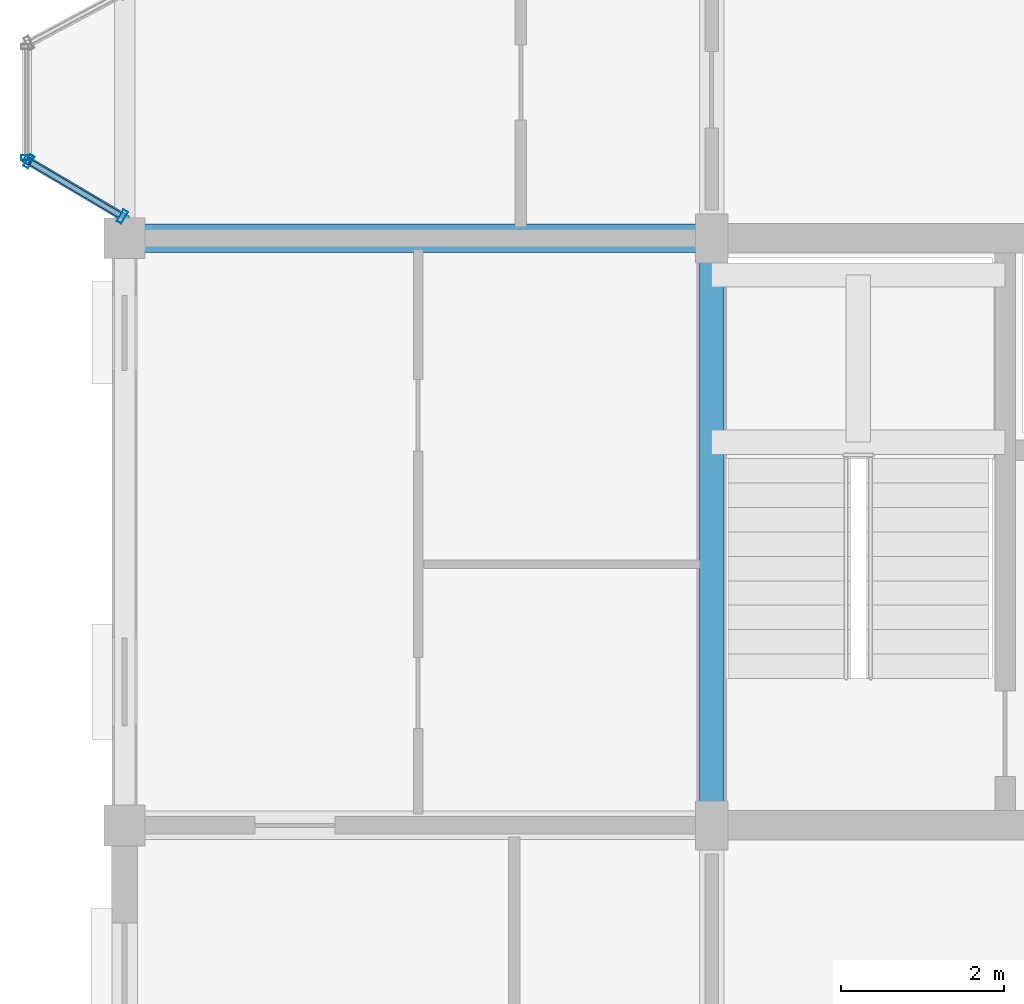
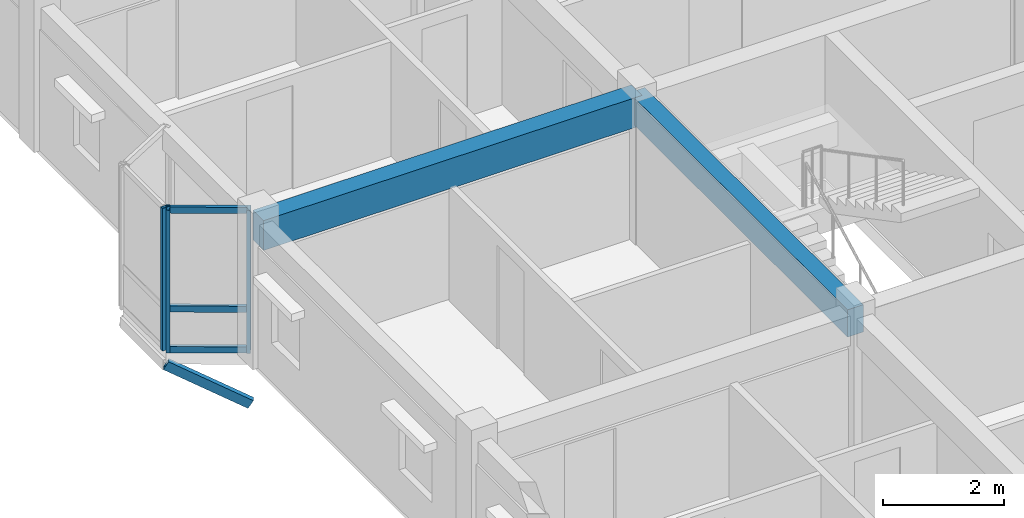
# One storey, part 5 of 64: 7 members, 2 beams, 2 elements without a shape of their own.
"""IFC4 building model written with IfcOpenShell, lengths in metres."""

from ifc_helpers import new_model, si_unit, direction, frame, origin, origin_2d, place, context, subcontext, project, spatial, rectangle, hollow_rectangle, extrude, material, layer, layer_set, material_profile, profile_set, type_object, element, aggregate, save


model = new_model("IFC4")

# Units and contexts
model_context = context("Model", 3, precision=1e-05, world=origin(), true_north=direction((0.0, 1.0)))
body_context = subcontext(model_context, "Body", "Model", "MODEL_VIEW")
ifc_project = project(units=[si_unit("LENGTHUNIT", "METRE"), si_unit("AREAUNIT", "SQUARE_METRE"), si_unit("VOLUMEUNIT", "CUBIC_METRE"), si_unit("PLANEANGLEUNIT", "RADIAN"), si_unit("MASSUNIT", "GRAM", prefix="KILO"), si_unit("THERMODYNAMICTEMPERATUREUNIT", "KELVIN"), si_unit("POWERUNIT", "WATT")], contexts=[model_context])

# Site, building, storey
site_placement = place(None, origin())
site = spatial("IfcSite", under=ifc_project, at=site_placement, CompositionType="ELEMENT")
building_placement = place(site_placement, origin())
building = spatial("IfcBuilding", under=site, at=building_placement, Name="Tavuni Mirador Residences", CompositionType="ELEMENT")
storey_placement = place(building_placement, frame((0.0, 0.0, 26.550048828125)))
storey = spatial("IfcBuildingStorey", under=building, at=storey_placement, Name="L08", CompositionType="ELEMENT", Elevation=26.550048828125)

# Beams
ifc_material_1 = material(Name="Precast concrete C40/50", Category="concrete")
ifc_material_profile_1 = material_profile(ifc_material_1, rectangle(XDim=0.300048828125, YDim=0.550048828125, at=origin_2d()), Name="PC 300x550", Category="concrete")
ifc_profile_set_1 = profile_set([ifc_material_profile_1], Name="Precast concrete C40/50")
beam_type_1 = type_object("IfcBeamType", Name="BT-B550", PredefinedType="BEAM", material=ifc_profile_set_1)
beam_1_placement = place(storey_placement, frame((10.800048828125, 14.39990234375, 2.594970703125), z_axis=(0.0, 1.0, 0.0), x_axis=(-1.0, 0.0, 0.0)))
element("IfcBeam", 1, at=beam_1_placement, inside=storey, type_object=beam_type_1, Name="BMY-BLK-A-L08-01-01", PredefinedType="BEAM", context=body_context, shape_type="SweptSolid", body=[
    extrude(rectangle(XDim=0.300048828125, YDim=0.550048828125, at=origin_2d()), origin(), (0.0, 0.0, 1.0), 7.2001953125),
])
ifc_material_profile_2 = material_profile(ifc_material_1, rectangle(XDim=0.35009765625, YDim=0.60009765625, at=origin_2d()), Name="PC 350x600", Category="concrete")
ifc_profile_set_2 = profile_set([ifc_material_profile_2], Name="Precast concrete C40/50")
beam_type_2 = type_object("IfcBeamType", Name="BT-B600", PredefinedType="BEAM", material=ifc_profile_set_2)
beam_2_placement = place(storey_placement, frame((3.60009765625, 21.60009765625, 2.570068359375), z_axis=(1.0, 0.0, 0.0), x_axis=(0.0, 1.0, 0.0)))
element("IfcBeam", 2, at=beam_2_placement, inside=storey, type_object=beam_type_2, Name="BMX-BLK-A-L08-00-02", PredefinedType="BEAM", context=body_context, shape_type="SweptSolid", body=[
    extrude(rectangle(XDim=0.35009765625, YDim=0.60009765625, at=origin_2d()), origin(), (0.0, 0.0, 1.0), 7.199951171875),
])

# Curtain wall, member
ifc_material_2 = material(Name="Anodised aluminium", Category="aluminium")
ifc_layer_1 = layer(ifc_material_2, 0.1650390625, Name="Anodised aluminium", Category="aluminium")
ifc_layer_set_1 = layer_set([ifc_layer_1], Name="Anodised aluminium")
curtain_wall_type_1 = type_object("IfcCurtainWallType", Name="CWT-MIR-A", PredefinedType="NOTDEFINED", material=ifc_layer_set_1)
curtain_wall_1_placement = place(storey_placement, origin())
curtain_wall_1 = element("IfcCurtainWall", 3, at=curtain_wall_1_placement, inside=storey, type_object=curtain_wall_type_1, Name="CW-MIR-A-W2-L08-MF", PredefinedType="NOTDEFINED")
ifc_material_profile_3 = material_profile(ifc_material_2, hollow_rectangle(XDim=0.06005859375, YDim=0.139892578125, WallThickness=0.00390625, at=origin_2d()), Name="ALU 60x140x4.0", Category="aluminium")
ifc_profile_set_3 = profile_set([ifc_material_profile_3], Name="Anodised aluminium")
member_type_1 = type_object("IfcMemberType", Name="CWM-140", PredefinedType="MULLION", material=ifc_profile_set_3)
member_1_placement = place(storey_placement, frame((2.39990234375, 22.590087890625, 0.0), z_axis=(0.0, 0.0, 1.0), x_axis=(0.0, -1.0, 0.0)))
member_1 = element("IfcMember", 4, at=member_1_placement, type_object=member_type_1, Name="CW-01 mullion 2", PredefinedType="MULLION", context=body_context, shape_type="SweptSolid", body=[
    extrude(hollow_rectangle(XDim=0.06005859375, YDim=0.139892578125, WallThickness=0.00390625, at=origin_2d()), origin(), (0.0, 0.0, 1.0), 2.869873046875),
])
aggregate(curtain_wall_1, [member_1])

# Curtain wall, members
ifc_layer_2 = layer(ifc_material_2, 0.14990234375, Name="Anodised aluminium", Category="aluminium")
ifc_layer_set_2 = layer_set([ifc_layer_2], Name="Anodised aluminium")
curtain_wall_type_2 = type_object("IfcCurtainWallType", Name="CWT-MIR-B", PredefinedType="NOTDEFINED", material=ifc_layer_set_2)
curtain_wall_2_placement = place(storey_placement, origin())
curtain_wall_2 = element("IfcCurtainWall", 5, at=curtain_wall_2_placement, inside=storey, type_object=curtain_wall_type_2, Name="CW-MIR-A-W2-L08-M2", PredefinedType="NOTDEFINED")
ifc_material_profile_4 = material_profile(ifc_material_2, hollow_rectangle(XDim=0.06494140625, YDim=0.1650390625, WallThickness=0.00439453125, at=origin_2d()), Name="ALU 65x165x4.5", Category="aluminium")
ifc_profile_set_4 = profile_set([ifc_material_profile_4], Name="Anodised aluminium")
member_type_2 = type_object("IfcMemberType", Name="CWM-165", PredefinedType="MULLION", material=ifc_profile_set_4)
member_2_placement = place(storey_placement, frame((2.427978515625, 22.54345703125, 0.0), z_axis=(0.0, 0.0, 1.0), x_axis=(0.860640830284, -0.509212491254, 0.0)))
member_2 = element("IfcMember", 6, at=member_2_placement, type_object=member_type_2, Name="CW-02 mullion 1", PredefinedType="MULLION", context=body_context, shape_type="SweptSolid", body=[
    extrude(hollow_rectangle(XDim=0.06494140625, YDim=0.1650390625, WallThickness=0.00439453125, at=origin_2d()), origin(), (0.0, 0.0, 1.0), 2.869873046875),
])
member_3_placement = place(storey_placement, frame((3.572021484375, 21.866455078125, 0.0), z_axis=(0.0, 0.0, 1.0), x_axis=(0.860640830284, -0.509212491254, 0.0)))
member_3 = element("IfcMember", 7, at=member_3_placement, type_object=member_type_2, Name="CW-02 mullion 2", PredefinedType="MULLION", context=body_context, shape_type="SweptSolid", body=[
    extrude(hollow_rectangle(XDim=0.06494140625, YDim=0.1650390625, WallThickness=0.00439453125, at=origin_2d()), origin(), (0.0, 0.0, 1.0), 2.869873046875),
])
ifc_material_profile_5 = material_profile(ifc_material_2, hollow_rectangle(XDim=0.06494140625, YDim=0.125, WallThickness=0.00439453125, at=origin_2d()), Name="ALU 65x125x4.5", Category="aluminium")
ifc_profile_set_5 = profile_set([ifc_material_profile_5], Name="Anodised aluminium")
member_type_3 = type_object("IfcMemberType", Name="CWT-125", PredefinedType="USERDEFINED", material=ifc_profile_set_5)
member_4_placement = place(storey_placement, frame((2.4560546875, 22.52685546875, 0.032470703125), z_axis=(0.86059568564, -0.509288784343, 0.0), x_axis=(0.509288784343, 0.86059568564, 0.0)))
member_4 = element("IfcMember", 8, at=member_4_placement, type_object=member_type_3, Name="CW-02 transom 1.1", ObjectType="TRANSOM", PredefinedType="USERDEFINED", context=body_context, shape_type="SweptSolid", body=[
    extrude(hollow_rectangle(XDim=0.06494140625, YDim=0.125, WallThickness=0.00439453125, at=origin_2d()), origin(), (0.0, 0.0, 1.0), 1.26416015625),
])
member_5_placement = place(storey_placement, frame((2.4560546875, 22.52685546875, 0.849853515625), z_axis=(0.86059568564, -0.509288784343, 0.0), x_axis=(0.509288784343, 0.86059568564, 0.0)))
member_5 = element("IfcMember", 9, at=member_5_placement, type_object=member_type_3, Name="CW-02 transom 1.2", ObjectType="TRANSOM", PredefinedType="USERDEFINED", context=body_context, shape_type="SweptSolid", body=[
    extrude(hollow_rectangle(XDim=0.06494140625, YDim=0.125, WallThickness=0.00439453125, at=origin_2d()), origin(), (0.0, 0.0, 1.0), 1.26416015625),
])
member_6_placement = place(storey_placement, frame((2.4560546875, 22.52685546875, 2.83740234375), z_axis=(0.86059568564, -0.509288784343, 0.0), x_axis=(0.509288784343, 0.86059568564, 0.0)))
member_6 = element("IfcMember", 10, at=member_6_placement, type_object=member_type_3, Name="CW-02 transom 1.3", ObjectType="TRANSOM", PredefinedType="USERDEFINED", context=body_context, shape_type="SweptSolid", body=[
    extrude(hollow_rectangle(XDim=0.06494140625, YDim=0.125, WallThickness=0.00439453125, at=origin_2d()), origin(), (0.0, 0.0, 1.0), 1.26416015625),
])
aggregate(curtain_wall_2, [member_2, member_3, member_4, member_5, member_6])

# Member
ifc_material_3 = material(Name="Structural steel S355", Category="steel")
ifc_material_profile_6 = material_profile(ifc_material_3, hollow_rectangle(XDim=0.10009765625, YDim=0.179931640625, WallThickness=0.008056640625, at=origin_2d()), Name="RHS 180x100x8.0", Category="steel")
ifc_profile_set_6 = profile_set([ifc_material_profile_6], Name="Structural steel S355")
member_type_4 = type_object("IfcMemberType", Name="MT-BR-RHS180", PredefinedType="BRACE", material=ifc_profile_set_6)
member_7_placement = place(storey_placement, frame((3.60009765625, 21.85009765625, -1.050048828125), z_axis=(-0.753448798133, 0.445693471312, 0.48339656414), x_axis=(-0.50913035723, -0.860689420957, 0.0)))
element("IfcMember", 11, at=member_7_placement, inside=storey, type_object=member_type_4, Name="MBRK-MIR-A-W2-L08-1", PredefinedType="BRACE", context=body_context, shape_type="SweptSolid", body=[
    extrude(hollow_rectangle(XDim=0.10009765625, YDim=0.179931640625, WallThickness=0.008056640625, at=origin_2d()), origin(), (0.0, 0.0, 1.0), 1.593017578125),
])

save(model, "model.ifc")
